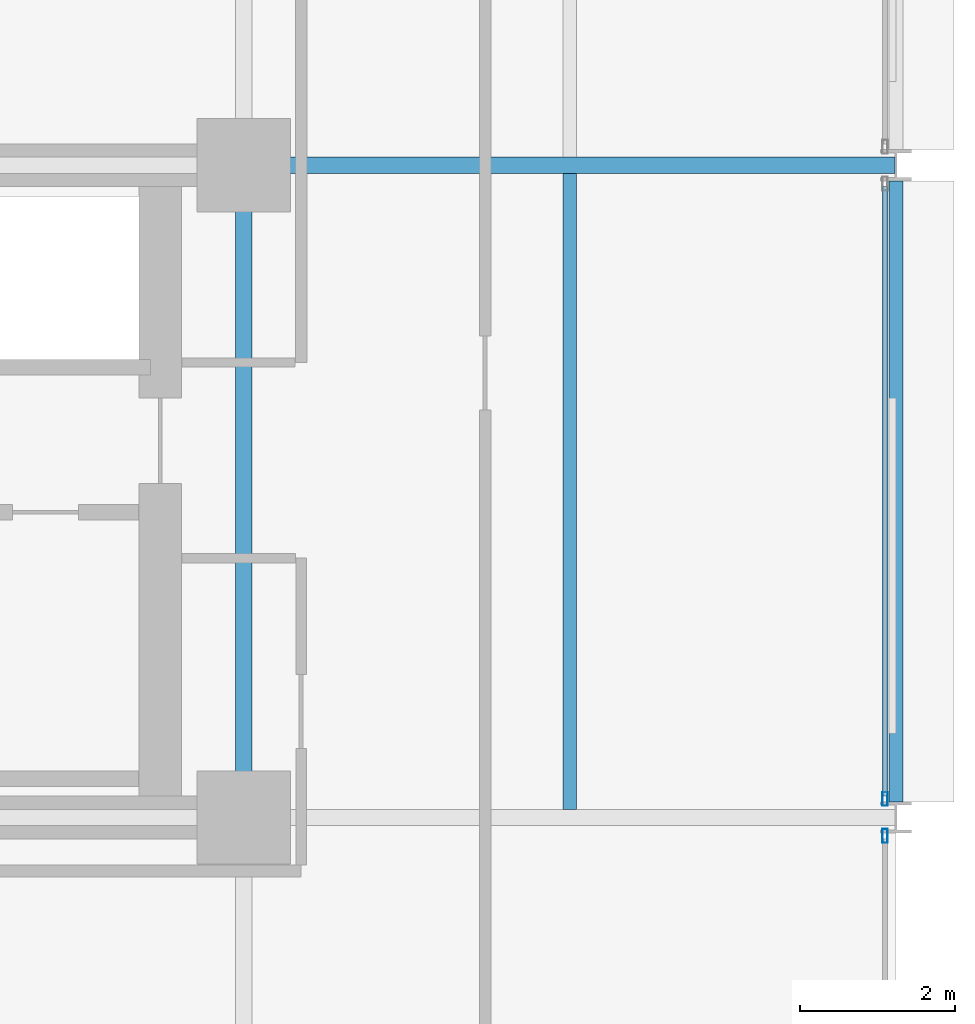
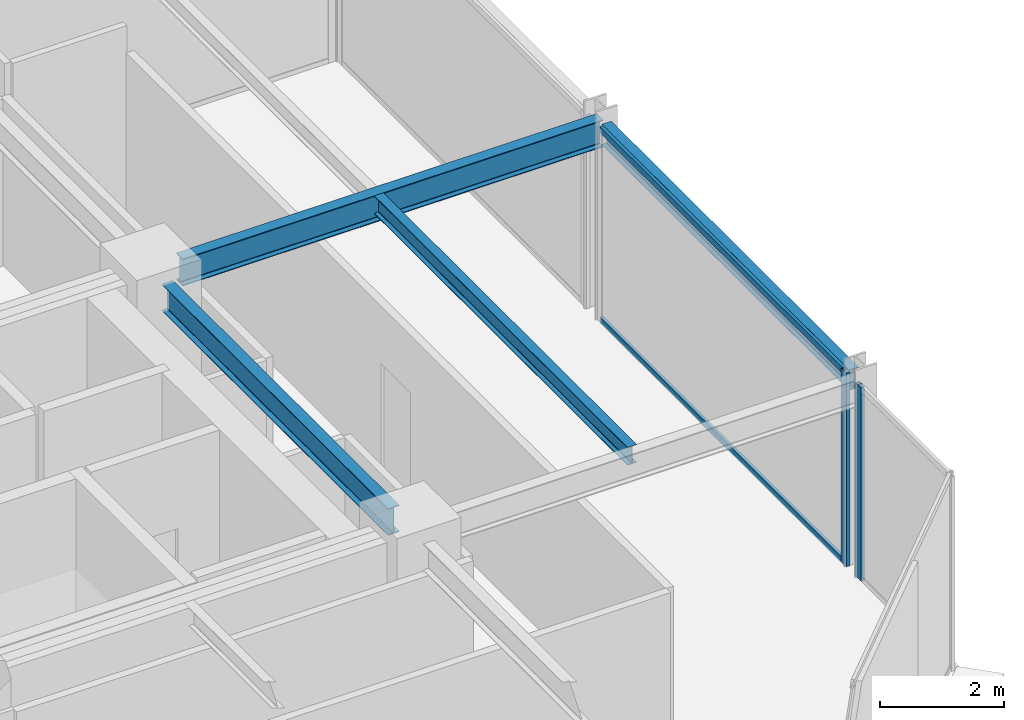
# One storey, part 14 of 30: 4 beams, 4 members, 2 elements without a shape of their own.
"""IFC4 building model written with IfcOpenShell, lengths in metres."""

from ifc_helpers import new_model, si_unit, direction, frame, origin, origin_2d, place, context, subcontext, project, spatial, hollow_rectangle, i_section, extrude, material, layer, layer_set, material_profile, profile_set, type_object, element, aggregate, save


model = new_model("IFC4")

# Units and contexts
model_context = context("Model", 3, precision=1e-05, world=origin(), true_north=direction((0.0, 1.0)))
body_context = subcontext(model_context, "Body", "Model", "MODEL_VIEW")
ifc_project = project(units=[si_unit("LENGTHUNIT", "METRE"), si_unit("AREAUNIT", "SQUARE_METRE"), si_unit("VOLUMEUNIT", "CUBIC_METRE"), si_unit("PLANEANGLEUNIT", "RADIAN"), si_unit("MASSUNIT", "GRAM", prefix="KILO")], contexts=[model_context])

# Site, building, storey
site_placement = place(None, origin())
site = spatial("IfcSite", under=ifc_project, at=site_placement, CompositionType="ELEMENT")
building_placement = place(site_placement, origin())
building = spatial("IfcBuilding", under=site, at=building_placement, Name="Nerrivon Quay Data Exchange", CompositionType="ELEMENT")
storey_placement = place(building_placement, frame((0.0, 0.0, 117.199951171875)))
storey = spatial("IfcBuildingStorey", under=building, at=storey_placement, Name="L27", CompositionType="ELEMENT", Elevation=117.199951171875)

# Beams
ifc_material_1 = material(Name="Steel Grade 350", Category="steel")
ifc_material_profile_1 = material_profile(ifc_material_1, i_section(OverallWidth=0.208984375, OverallDepth=0.532958984375, WebThickness=0.01025390625, FlangeThickness=0.015625, FilletRadius=0.013916015625, at=origin_2d()), Name="530UB92.4")
ifc_profile_set_1 = profile_set([ifc_material_profile_1], Name="Steel Grade 350")
beam_type_1 = type_object("IfcBeamType", Name="BM-G3-530UB92", PredefinedType="BEAM", material=ifc_profile_set_1)
beam_1_placement = place(storey_placement, frame((34.139892578125, 16.800048828125, 3.55859375), z_axis=(1.0, 0.0, 0.0), x_axis=(0.0, 1.0, 0.0)))
element("IfcBeam", 1, at=beam_1_placement, inside=storey, type_object=beam_type_1, Name="L27 EW Girder Y=16.8 (33.6..42.0)", PredefinedType="BEAM", context=body_context, shape_type="SweptSolid", body=[
    extrude(i_section(OverallWidth=0.208984375, OverallDepth=0.532958984375, WebThickness=0.01025390625, FlangeThickness=0.015625, FilletRadius=0.013916015625, at=origin_2d()), origin(), (0.0, 0.0, 1.0), 7.84765625),
])
ifc_material_profile_2 = material_profile(ifc_material_1, i_section(OverallWidth=0.208984375, OverallDepth=0.528076171875, WebThickness=0.009521484375, FlangeThickness=0.01318359375, FilletRadius=0.013916015625, at=origin_2d()), Name="530UB82.0")
ifc_profile_set_2 = profile_set([ifc_material_profile_2], Name="Steel Grade 350")
beam_type_2 = type_object("IfcBeamType", Name="BM-G4-530UB82", PredefinedType="BEAM", material=ifc_profile_set_2)
beam_2_placement = place(storey_placement, frame((33.60009765625, 8.93994140625, 3.56103515625), z_axis=(0.0, 1.0, 0.0), x_axis=(-1.0, 0.0, 0.0)))
element("IfcBeam", 2, at=beam_2_placement, inside=storey, type_object=beam_type_2, Name="L27 NS Girder X=33.6 (8.4..16.8)", PredefinedType="BEAM", context=body_context, shape_type="SweptSolid", body=[
    extrude(i_section(OverallWidth=0.208984375, OverallDepth=0.528076171875, WebThickness=0.009521484375, FlangeThickness=0.01318359375, FilletRadius=0.013916015625, at=origin_2d()), origin(), (0.0, 0.0, 1.0), 7.320068359375),
])
ifc_material_profile_3 = material_profile(ifc_material_1, i_section(OverallWidth=0.1708984375, OverallDepth=0.35595703125, WebThickness=0.00732421875, FlangeThickness=0.011474609375, FilletRadius=0.011474609375, at=origin_2d()), Name="360UB50.7")
ifc_profile_set_3 = profile_set([ifc_material_profile_3], Name="Steel Grade 350")
beam_type_3 = type_object("IfcBeamType", Name="BM-J4-360UB51", PredefinedType="JOIST", material=ifc_profile_set_3)
beam_3_placement = place(storey_placement, frame((37.800048828125, 8.50439453125, 3.64697265625), z_axis=(0.0, 1.0, 0.0), x_axis=(-1.0, 0.0, 0.0)))
element("IfcBeam", 3, at=beam_3_placement, inside=storey, type_object=beam_type_3, Name="L27 Secondary Joist X=37.8 (8.4..16.8)", PredefinedType="JOIST", context=body_context, shape_type="SweptSolid", body=[
    extrude(i_section(OverallWidth=0.1708984375, OverallDepth=0.35595703125, WebThickness=0.00732421875, FlangeThickness=0.011474609375, FilletRadius=0.011474609375, at=origin_2d()), origin(), (0.0, 0.0, 1.0), 8.191162109375),
])
ifc_material_profile_4 = material_profile(ifc_material_1, i_section(OverallWidth=0.177978515625, OverallDepth=0.403076171875, WebThickness=0.007568359375, FlangeThickness=0.010986328125, FilletRadius=0.011474609375, at=origin_2d()), Name="410UB53.7")
ifc_profile_set_4 = profile_set([ifc_material_profile_4], Name="Steel Grade 350")
beam_type_4 = type_object("IfcBeamType", Name="BM-SP2-410UB54", PredefinedType="SPANDREL", material=ifc_profile_set_4)
beam_4_placement = place(storey_placement, frame((42.0, 8.60009765625, 3.62353515625), z_axis=(0.0, 1.0, 0.0), x_axis=(-1.0, 0.0, 0.0)))
element("IfcBeam", 4, at=beam_4_placement, inside=storey, type_object=beam_type_4, Name="L27 NS Girder X=42.0 (8.4..16.8)", PredefinedType="SPANDREL", context=body_context, shape_type="SweptSolid", body=[
    extrude(i_section(OverallWidth=0.177978515625, OverallDepth=0.403076171875, WebThickness=0.007568359375, FlangeThickness=0.010986328125, FilletRadius=0.011474609375, at=origin_2d()), origin(), (0.0, 0.0, 1.0), 8.0),
])

# Curtain wall, member
ifc_material_2 = material(Name="Anodised aluminium 6063-T6", Category="aluminium")
ifc_layer = layer(ifc_material_2, 0.2099609375)
ifc_layer_set = layer_set([ifc_layer], Name="Anodised aluminium 6063-T6")
curtain_wall_type = type_object("IfcCurtainWallType", Name="CW-SYS-02", PredefinedType="NOTDEFINED", material=ifc_layer_set)
curtain_wall_1_placement = place(storey_placement, origin())
curtain_wall_1 = element("IfcCurtainWall", 5, at=curtain_wall_1_placement, inside=storey, type_object=curtain_wall_type, Name="L27 Unitised Curtain Wall 29", PredefinedType="NOTDEFINED")
ifc_material_profile_5 = material_profile(ifc_material_2, hollow_rectangle(XDim=0.06494140625, YDim=0.179931640625, WallThickness=0.00341796875, at=origin_2d()), Name="ALU-MULL-180x65")
ifc_profile_set_5 = profile_set([ifc_material_profile_5], Name="Anodised aluminium 6063-T6")
member_type_1 = type_object("IfcMemberType", Name="CWM-180x65", PredefinedType="MULLION", material=ifc_profile_set_5)
member_1_placement = place(storey_placement, frame((41.860107421875, 8.637451171875, 0.0), z_axis=(0.0, 0.0, 1.0), x_axis=(1.0, 0.0, 0.0)))
member_1 = element("IfcMember", 6, at=member_1_placement, type_object=member_type_1, Name="CW02 mullion 2", PredefinedType="MULLION", context=body_context, shape_type="SweptSolid", body=[
    extrude(hollow_rectangle(XDim=0.06494140625, YDim=0.179931640625, WallThickness=0.00341796875, at=origin_2d()), origin(), (0.0, 0.0, 1.0), 3.824951171875),
])

curtain_wall_2_placement = place(storey_placement, origin())
curtain_wall_2 = element("IfcCurtainWall", 7, at=curtain_wall_2_placement, inside=storey, type_object=curtain_wall_type, Name="L27 Unitised Curtain Wall 30", PredefinedType="NOTDEFINED")
member_2_placement = place(storey_placement, frame((41.860107421875, 8.16259765625, 0.0), z_axis=(0.0, 0.0, 1.0), x_axis=(1.0, 0.0, 0.0)))
member_2 = element("IfcMember", 8, at=member_2_placement, type_object=member_type_1, Name="CW02 mullion 1", PredefinedType="MULLION", context=body_context, shape_type="SweptSolid", body=[
    extrude(hollow_rectangle(XDim=0.06494140625, YDim=0.179931640625, WallThickness=0.00341796875, at=origin_2d()), origin(), (0.0, 0.0, 1.0), 3.824951171875),
])
aggregate(curtain_wall_2, [member_2])

# Member
ifc_material_profile_6 = material_profile(ifc_material_2, hollow_rectangle(XDim=0.06005859375, YDim=0.1201171875, WallThickness=0.003173828125, at=origin_2d()), Name="ALU-TRAN-120x60")
ifc_profile_set_6 = profile_set([ifc_material_profile_6], Name="Anodised aluminium 6063-T6")
member_type_2 = type_object("IfcMemberType", Name="CWT-120x60", PredefinedType="USERDEFINED", material=ifc_profile_set_6)
member_3_placement = place(storey_placement, frame((41.860107421875, 16.52490234375, 0.032470703125), z_axis=(0.0, -1.0, 0.0), x_axis=(1.0, 0.0, 0.0)))
member_3 = element("IfcMember", 9, at=member_3_placement, type_object=member_type_2, Name="CW02 transom 1.1", ObjectType="TRANSOM", PredefinedType="USERDEFINED", context=body_context, shape_type="SweptSolid", body=[
    extrude(hollow_rectangle(XDim=0.06005859375, YDim=0.1201171875, WallThickness=0.003173828125, at=origin_2d()), origin(), (0.0, 0.0, 1.0), 7.849853515625),
])

member_4_placement = place(storey_placement, frame((41.860107421875, 16.52490234375, 3.79248046875), z_axis=(0.0, -1.0, 0.0), x_axis=(1.0, 0.0, 0.0)))
member_4 = element("IfcMember", 10, at=member_4_placement, type_object=member_type_2, Name="CW02 transom 1.2", ObjectType="TRANSOM", PredefinedType="USERDEFINED", context=body_context, shape_type="SweptSolid", body=[
    extrude(hollow_rectangle(XDim=0.06005859375, YDim=0.1201171875, WallThickness=0.003173828125, at=origin_2d()), origin(), (0.0, 0.0, 1.0), 7.849853515625),
])

aggregate(curtain_wall_1, [member_1, member_3, member_4])

save(model, "model.ifc")
